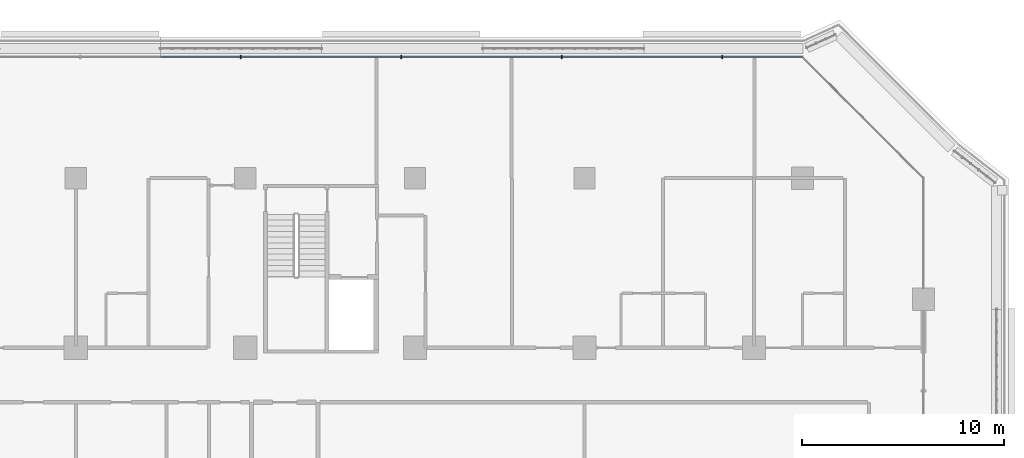
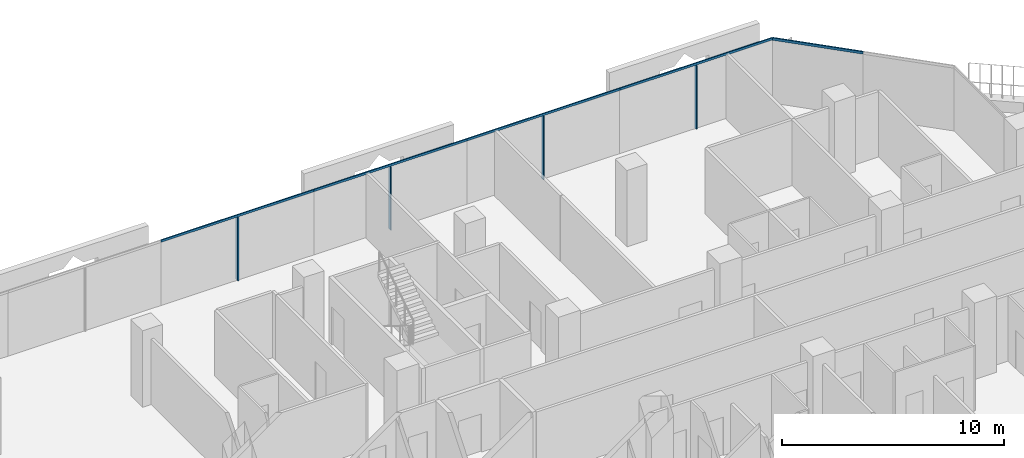
# One storey, part 9 of 25: 9 members, 2 elements without a shape of their own.
"""IFC4 building model written with IfcOpenShell, lengths in metres."""

from ifc_helpers import new_model, si_unit, direction, frame, origin, origin_2d, place, context, subcontext, project, spatial, rectangle, extrude, material, layer, layer_set, material_profile, profile_set, type_object, element, aggregate, save


model = new_model("IFC4")

# Units and contexts
model_context = context("Model", 3, precision=1e-05, world=origin(), true_north=direction((0.0, 1.0)))
body_context = subcontext(model_context, "Body", "Model", "MODEL_VIEW")
ifc_project = project(units=[si_unit("LENGTHUNIT", "METRE"), si_unit("AREAUNIT", "SQUARE_METRE"), si_unit("VOLUMEUNIT", "CUBIC_METRE"), si_unit("PLANEANGLEUNIT", "RADIAN"), si_unit("MASSUNIT", "GRAM", prefix="KILO")], contexts=[model_context])

# Site, building, storey
site_placement = place(None, origin())
site = spatial("IfcSite", under=ifc_project, at=site_placement, CompositionType="ELEMENT")
building_placement = place(site_placement, origin())
building = spatial("IfcBuilding", under=site, at=building_placement, Name="Kawkab Arch Medical Tower", CompositionType="ELEMENT")
storey_placement = place(building_placement, frame((0.0, 0.0, 140.800048828125)))
storey = spatial("IfcBuildingStorey", under=building, at=storey_placement, Name="L32", CompositionType="ELEMENT", Elevation=140.800048828125)

# Curtain wall, members
ifc_material_1 = material(Name="Bronze anodised aluminium curtain wall frame", Category="aluminium")
ifc_layer_1 = layer(ifc_material_1, 0.159912109375)
ifc_layer_set_1 = layer_set([ifc_layer_1], Name="Bronze anodised aluminium curtain wall frame")
curtain_wall_type_1 = type_object("IfcCurtainWallType", Name="CW1 ward curtain wall", PredefinedType="NOTDEFINED", material=ifc_layer_set_1)
placement = place(storey_placement, origin())
curtain_wall_1 = element("IfcCurtainWall", 1, at=placement, inside=storey, type_object=curtain_wall_type_1, Name="CW1 Ward curtain wall R11", PredefinedType="NOTDEFINED")
ifc_material_2 = material(Name="Bronze anodised aluminium curtain wall frame", Category="aluminium")
ifc_material_profile_1 = material_profile(ifc_material_2, rectangle(XDim=0.179931640625, YDim=0.06005859375, at=origin_2d()), Name="AL 60x180")
ifc_profile_set_1 = profile_set([ifc_material_profile_1], Name="Bronze anodised aluminium curtain wall frame")
member_type_1 = type_object("IfcMemberType", Name="CW1 mullion 60 x 180", PredefinedType="MULLION", material=ifc_profile_set_1)
member_1_placement = place(storey_placement, frame((65.625, 6.0, 0.0), z_axis=(0.0, 0.0, 1.0), x_axis=(0.0, -1.0, 0.0)))
member_1 = element("IfcMember", 2, at=member_1_placement, type_object=member_type_1, Name="CW1 mullion 1.1", PredefinedType="MULLION", context=body_context, shape_type="SweptSolid", body=[
    extrude(rectangle(XDim=0.179931640625, YDim=0.06005859375, at=origin_2d()), origin(), (0.0, 0.0, 1.0), 3.47998046875),
])
member_2_placement = place(storey_placement, frame((57.675048828125, 6.0, 0.0), z_axis=(0.0, 0.0, 1.0), x_axis=(0.0, -1.0, 0.0)))
member_2 = element("IfcMember", 3, at=member_2_placement, type_object=member_type_1, Name="CW1 mullion 2.1", PredefinedType="MULLION", context=body_context, shape_type="SweptSolid", body=[
    extrude(rectangle(XDim=0.179931640625, YDim=0.06005859375, at=origin_2d()), origin(), (0.0, 0.0, 1.0), 3.47998046875),
])
member_3_placement = place(storey_placement, frame((49.72509765625, 6.0, 0.0), z_axis=(0.0, 0.0, 1.0), x_axis=(0.0, -1.0, 0.0)))
member_3 = element("IfcMember", 4, at=member_3_placement, type_object=member_type_1, Name="CW1 mullion 3.1", PredefinedType="MULLION", context=body_context, shape_type="SweptSolid", body=[
    extrude(rectangle(XDim=0.179931640625, YDim=0.06005859375, at=origin_2d()), origin(), (0.0, 0.0, 1.0), 3.47998046875),
])
member_4_placement = place(storey_placement, frame((41.77490234375, 6.0, 0.0), z_axis=(0.0, 0.0, 1.0), x_axis=(0.0, -1.0, 0.0)))
member_4 = element("IfcMember", 5, at=member_4_placement, type_object=member_type_1, Name="CW1 mullion 4.1", PredefinedType="MULLION", context=body_context, shape_type="SweptSolid", body=[
    extrude(rectangle(XDim=0.179931640625, YDim=0.06005859375, at=origin_2d()), origin(), (0.0, 0.0, 1.0), 3.47998046875),
])
ifc_material_3 = material(Name="Bronze anodised aluminium curtain wall frame", Category="aluminium")
ifc_material_profile_2 = material_profile(ifc_material_3, rectangle(XDim=0.06005859375, YDim=0.1201171875, at=origin_2d()), Name="AL 60x120")
ifc_profile_set_2 = profile_set([ifc_material_profile_2], Name="Bronze anodised aluminium curtain wall frame")
member_type_2 = type_object("IfcMemberType", Name="CW1 transom 120 x 60", PredefinedType="USERDEFINED", material=ifc_profile_set_2)
member_5_placement = place(storey_placement, frame((69.60009765625, 6.0, 3.5400390625), z_axis=(-1.0, 0.0, 0.0), x_axis=(0.0, -1.0, 0.0)))
member_5 = element("IfcMember", 6, at=member_5_placement, type_object=member_type_2, Name="CW1 transom 1", ObjectType="TRANSOM", PredefinedType="USERDEFINED", context=body_context, shape_type="SweptSolid", body=[
    extrude(rectangle(XDim=0.06005859375, YDim=0.1201171875, at=origin_2d()), origin(), (0.0, 0.0, 1.0), 7.9501953125),
])
member_6_placement = place(storey_placement, frame((61.64990234375, 6.0, 3.5400390625), z_axis=(-1.0, 0.0, 0.0), x_axis=(0.0, -1.0, 0.0)))
member_6 = element("IfcMember", 7, at=member_6_placement, type_object=member_type_2, Name="CW1 transom 2", ObjectType="TRANSOM", PredefinedType="USERDEFINED", context=body_context, shape_type="SweptSolid", body=[
    extrude(rectangle(XDim=0.06005859375, YDim=0.1201171875, at=origin_2d()), origin(), (0.0, 0.0, 1.0), 7.949951171875),
])
member_7_placement = place(storey_placement, frame((53.699951171875, 6.0, 3.5400390625), z_axis=(-1.0, 0.0, 0.0), x_axis=(0.0, -1.0, 0.0)))
member_7 = element("IfcMember", 8, at=member_7_placement, type_object=member_type_2, Name="CW1 transom 3", ObjectType="TRANSOM", PredefinedType="USERDEFINED", context=body_context, shape_type="SweptSolid", body=[
    extrude(rectangle(XDim=0.06005859375, YDim=0.1201171875, at=origin_2d()), origin(), (0.0, 0.0, 1.0), 7.949951171875),
])
member_8_placement = place(storey_placement, frame((45.75, 6.0, 3.5400390625), z_axis=(-1.0, 0.0, 0.0), x_axis=(0.0, -1.0, 0.0)))
member_8 = element("IfcMember", 9, at=member_8_placement, type_object=member_type_2, Name="CW1 transom 4", ObjectType="TRANSOM", PredefinedType="USERDEFINED", context=body_context, shape_type="SweptSolid", body=[
    extrude(rectangle(XDim=0.06005859375, YDim=0.1201171875, at=origin_2d()), origin(), (0.0, 0.0, 1.0), 7.949951171875),
])
aggregate(curtain_wall_1, [member_5, member_1, member_6, member_2, member_7, member_3, member_8, member_4])

# Curtain wall, member
ifc_material_4 = material(Name="Bronze anodised aluminium curtain wall frame", Category="aluminium")
ifc_layer_2 = layer(ifc_material_4, 0.159912109375)
ifc_layer_set_2 = layer_set([ifc_layer_2], Name="Bronze anodised aluminium curtain wall frame")
curtain_wall_type_2 = type_object("IfcCurtainWallType", Name="CW2 chamfer curtain wall", PredefinedType="NOTDEFINED", material=ifc_layer_set_2)
curtain_wall_2 = element("IfcCurtainWall", 10, at=placement, inside=storey, type_object=curtain_wall_type_2, Name="CW2 Chamfer curtain wall R10", PredefinedType="NOTDEFINED")
ifc_material_5 = material(Name="Bronze anodised aluminium curtain wall frame", Category="aluminium")
ifc_material_profile_3 = material_profile(ifc_material_5, rectangle(XDim=0.06005859375, YDim=0.139892578125, at=origin_2d()), Name="AL 60x140")
ifc_profile_set_3 = profile_set([ifc_material_profile_3], Name="Bronze anodised aluminium curtain wall frame")
member_type_3 = type_object("IfcMemberType", Name="CW2 transom 140 x 60", PredefinedType="USERDEFINED", material=ifc_profile_set_3)
member_9_placement = place(storey_placement, frame((72.60009765625, 3.0, 3.530029296875), z_axis=(-0.707106781187, 0.707106781187, 0.0), x_axis=(-0.707106781187, -0.707106781187, 0.0)))
member_9 = element("IfcMember", 11, at=member_9_placement, type_object=member_type_3, Name="CW2 transom 2", ObjectType="TRANSOM", PredefinedType="USERDEFINED", context=body_context, shape_type="SweptSolid", body=[
    extrude(rectangle(XDim=0.06005859375, YDim=0.139892578125, at=origin_2d()), origin(), (0.0, 0.0, 1.0), 4.24267578125),
])
aggregate(curtain_wall_2, [member_9])

save(model, "model.ifc")
